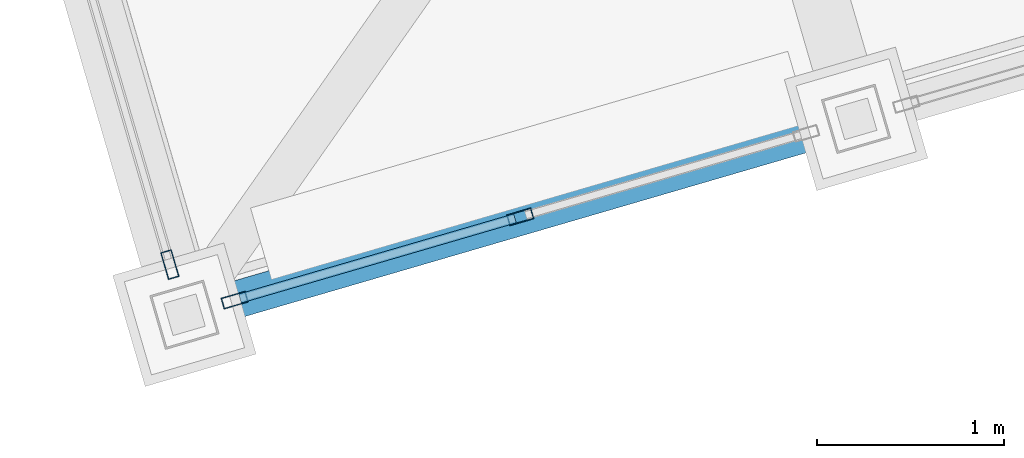
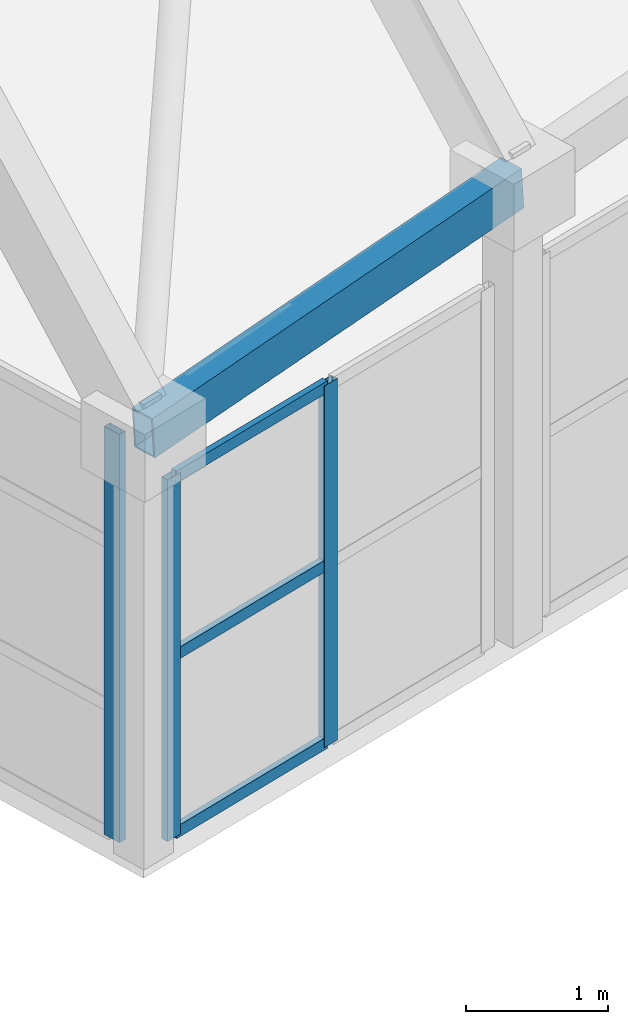
# One storey, part 18 of 248: 6 members, 1 beam, 2 elements without a shape of their own.
"""IFC4 building model written with IfcOpenShell, lengths in metres."""

from ifc_helpers import new_model, si_unit, direction, frame, origin, origin_2d, place, context, subcontext, project, spatial, hollow_rectangle, extrude, material, layer, layer_set, material_profile, profile_set, type_object, element, aggregate, save


model = new_model("IFC4")

# Units and contexts
model_context = context("Model", 3, precision=1e-05, world=origin(), true_north=direction((0.0, 1.0)))
body_context = subcontext(model_context, "Body", "Model", "MODEL_VIEW")
ifc_project = project(units=[si_unit("LENGTHUNIT", "METRE"), si_unit("AREAUNIT", "SQUARE_METRE"), si_unit("VOLUMEUNIT", "CUBIC_METRE"), si_unit("PLANEANGLEUNIT", "RADIAN"), si_unit("MASSUNIT", "GRAM", prefix="KILO")], contexts=[model_context])

# Site, building, storey
site_placement = place(None, origin())
site = spatial("IfcSite", under=ifc_project, at=site_placement, CompositionType="ELEMENT")
building_placement = place(site_placement, origin())
building = spatial("IfcBuilding", under=site, at=building_placement, Name="Canggui Botanical Conservatory", CompositionType="ELEMENT")
storey_placement = place(building_placement, frame((0.0, 0.0, 5.39990234375)))
storey = spatial("IfcBuildingStorey", under=building, at=storey_placement, Name="L02", CompositionType="ELEMENT", Elevation=5.39990234375)

# Beam
ifc_material_1 = material(Name="Steel Q355C", Category="steel")
ifc_material_profile_1 = material_profile(ifc_material_1, hollow_rectangle(XDim=0.199951171875, YDim=0.35009765625, WallThickness=0.011962890625, at=origin_2d()), Name="RHS 200x350x12")
ifc_profile_set_1 = profile_set([ifc_material_profile_1], Name="Steel Q355C")
beam_type = type_object("IfcBeamType", Name="BM-RING01", PredefinedType="BEAM", material=ifc_profile_set_1)
beam_placement = place(storey_placement, frame((20.0, 42.0, 3.60009765625), z_axis=(0.957872417874, 0.27938486839, 0.066517113516), x_axis=(-0.280004999853, 0.959998541695, 0.0)))
element("IfcBeam", 1, at=beam_placement, inside=storey, type_object=beam_type, Name="Conservatory Perimeter Ring Beam V0-01", PredefinedType="BEAM", context=body_context, shape_type="SweptSolid", body=[
    extrude(hollow_rectangle(XDim=0.199951171875, YDim=0.35009765625, WallThickness=0.011962890625, at=origin_2d()), origin(), (0.0, 0.0, 1.0), 3.758544921875),
])

# Curtain wall, member
ifc_material_2 = material(Name="Thermally Broken Aluminium", Category="aluminium")
ifc_layer_1 = layer(ifc_material_2, 0.14990234375, Name="Thermally Broken Aluminium", Category="aluminium")
ifc_layer_set_1 = layer_set([ifc_layer_1], Name="Thermally Broken Aluminium")
curtain_wall_type_1 = type_object("IfcCurtainWallType", Name="CW-UNIT-C", PredefinedType="USERDEFINED", material=ifc_layer_set_1)
curtain_wall_1_placement = place(storey_placement, origin())
curtain_wall_1 = element("IfcCurtainWall", 2, at=curtain_wall_1_placement, inside=storey, type_object=curtain_wall_type_1, Name="Facade Curtain Wall CW-CONS-GABLE-L02-S-01", ObjectType="UNITISED CURTAIN WALL", PredefinedType="USERDEFINED")
ifc_material_profile_2 = material_profile(ifc_material_2, hollow_rectangle(XDim=0.06005859375, YDim=0.14990234375, WallThickness=0.00341796875, at=origin_2d()), Name="CWM 60x150x3.5")
ifc_profile_set_2 = profile_set([ifc_material_profile_2], Name="Thermally Broken Aluminium")
member_type_1 = type_object("IfcMemberType", Name="CWM-03", PredefinedType="MULLION", material=ifc_profile_set_2)
member_1_placement = place(storey_placement, frame((19.921630859375, 42.268798828125, 0.0), z_axis=(0.0, 0.0, 1.0), x_axis=(-0.960000000002, -0.279999999995, 0.0)))
member_1 = element("IfcMember", 3, at=member_1_placement, type_object=member_type_1, Name="CW-03 mullion 1", PredefinedType="MULLION", context=body_context, shape_type="SweptSolid", body=[
    extrude(hollow_rectangle(XDim=0.06005859375, YDim=0.14990234375, WallThickness=0.00341796875, at=origin_2d()), origin(), (0.0, 0.0, 1.0), 3.5),
])
aggregate(curtain_wall_1, [member_1])

# Curtain wall, members
ifc_layer_2 = layer(ifc_material_2, 0.135009765625, Name="Thermally Broken Aluminium", Category="aluminium")
ifc_layer_set_2 = layer_set([ifc_layer_2], Name="Thermally Broken Aluminium")
curtain_wall_type_2 = type_object("IfcCurtainWallType", Name="CW-STICK-A", PredefinedType="USERDEFINED", material=ifc_layer_set_2)
curtain_wall_2_placement = place(storey_placement, origin())
curtain_wall_2 = element("IfcCurtainWall", 4, at=curtain_wall_2_placement, inside=storey, type_object=curtain_wall_type_2, Name="Facade Curtain Wall CW-CONS-L02-V0-01", ObjectType="STICK GLAZED WALL", PredefinedType="USERDEFINED")
ifc_material_profile_3 = material_profile(ifc_material_2, hollow_rectangle(XDim=0.06005859375, YDim=0.135009765625, WallThickness=0.00341796875, at=origin_2d()), Name="CWM 60x135x3.5")
ifc_profile_set_3 = profile_set([ifc_material_profile_3], Name="Thermally Broken Aluminium")
member_type_2 = type_object("IfcMemberType", Name="CWM-04", PredefinedType="MULLION", material=ifc_profile_set_3)
member_2_placement = place(storey_placement, frame((21.800048828125, 42.52490234375, 0.0), z_axis=(0.0, 0.0, 1.0), x_axis=(0.279999999995, -0.960000000002, 0.0)))
member_2 = element("IfcMember", 5, at=member_2_placement, type_object=member_type_2, Name="CW-04 mullion 2", PredefinedType="MULLION", context=body_context, shape_type="SweptSolid", body=[
    extrude(hollow_rectangle(XDim=0.06005859375, YDim=0.135009765625, WallThickness=0.00341796875, at=origin_2d()), origin(), (0.0, 0.0, 1.0), 3.10009765625),
])
member_3_placement = place(storey_placement, frame((20.268798828125, 42.078369140625, 0.0), z_axis=(0.0, 0.0, 1.0), x_axis=(0.279999999995, -0.960000000002, 0.0)))
member_3 = element("IfcMember", 6, at=member_3_placement, type_object=member_type_2, Name="CW-04 mullion 3", PredefinedType="MULLION", context=body_context, shape_type="SweptSolid", body=[
    extrude(hollow_rectangle(XDim=0.06005859375, YDim=0.135009765625, WallThickness=0.00341796875, at=origin_2d()), origin(), (0.0, 0.0, 1.0), 3.10009765625),
])
ifc_material_profile_4 = material_profile(ifc_material_2, hollow_rectangle(XDim=0.050048828125, YDim=0.10009765625, WallThickness=0.0029296875, at=origin_2d()), Name="CWT 50x100x3")
ifc_profile_set_4 = profile_set([ifc_material_profile_4], Name="Thermally Broken Aluminium")
member_type_3 = type_object("IfcMemberType", Name="CWT-04", PredefinedType="USERDEFINED", material=ifc_profile_set_4)
member_4_placement = place(storey_placement, frame((21.771240234375, 42.5166015625, 0.025146484375), z_axis=(-0.960021373424, -0.279926709282, 0.0), x_axis=(0.279926709282, -0.960021373424, 0.0)))
member_4 = element("IfcMember", 7, at=member_4_placement, type_object=member_type_3, Name="CW-04 transom 2.1", ObjectType="TRANSOM", PredefinedType="USERDEFINED", context=body_context, shape_type="SweptSolid", body=[
    extrude(hollow_rectangle(XDim=0.050048828125, YDim=0.10009765625, WallThickness=0.0029296875, at=origin_2d()), origin(), (0.0, 0.0, 1.0), 1.534912109375),
])
member_5_placement = place(storey_placement, frame((21.771240234375, 42.5166015625, 1.550048828125), z_axis=(-0.960021373424, -0.279926709282, 0.0), x_axis=(0.279926709282, -0.960021373424, 0.0)))
member_5 = element("IfcMember", 8, at=member_5_placement, type_object=member_type_3, Name="CW-04 transom 2.2", ObjectType="TRANSOM", PredefinedType="USERDEFINED", context=body_context, shape_type="SweptSolid", body=[
    extrude(hollow_rectangle(XDim=0.050048828125, YDim=0.10009765625, WallThickness=0.0029296875, at=origin_2d()), origin(), (0.0, 0.0, 1.0), 1.534912109375),
])
member_6_placement = place(storey_placement, frame((21.771240234375, 42.5166015625, 3.0751953125), z_axis=(-0.960021373424, -0.279926709282, 0.0), x_axis=(0.279926709282, -0.960021373424, 0.0)))
member_6 = element("IfcMember", 9, at=member_6_placement, type_object=member_type_3, Name="CW-04 transom 2.3", ObjectType="TRANSOM", PredefinedType="USERDEFINED", context=body_context, shape_type="SweptSolid", body=[
    extrude(hollow_rectangle(XDim=0.050048828125, YDim=0.10009765625, WallThickness=0.0029296875, at=origin_2d()), origin(), (0.0, 0.0, 1.0), 1.534912109375),
])
aggregate(curtain_wall_2, [member_2, member_3, member_4, member_5, member_6])

save(model, "model.ifc")
